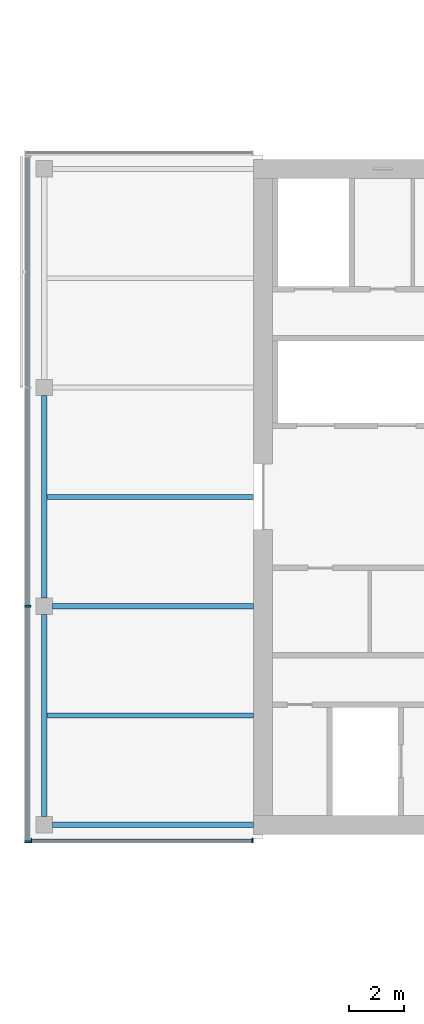
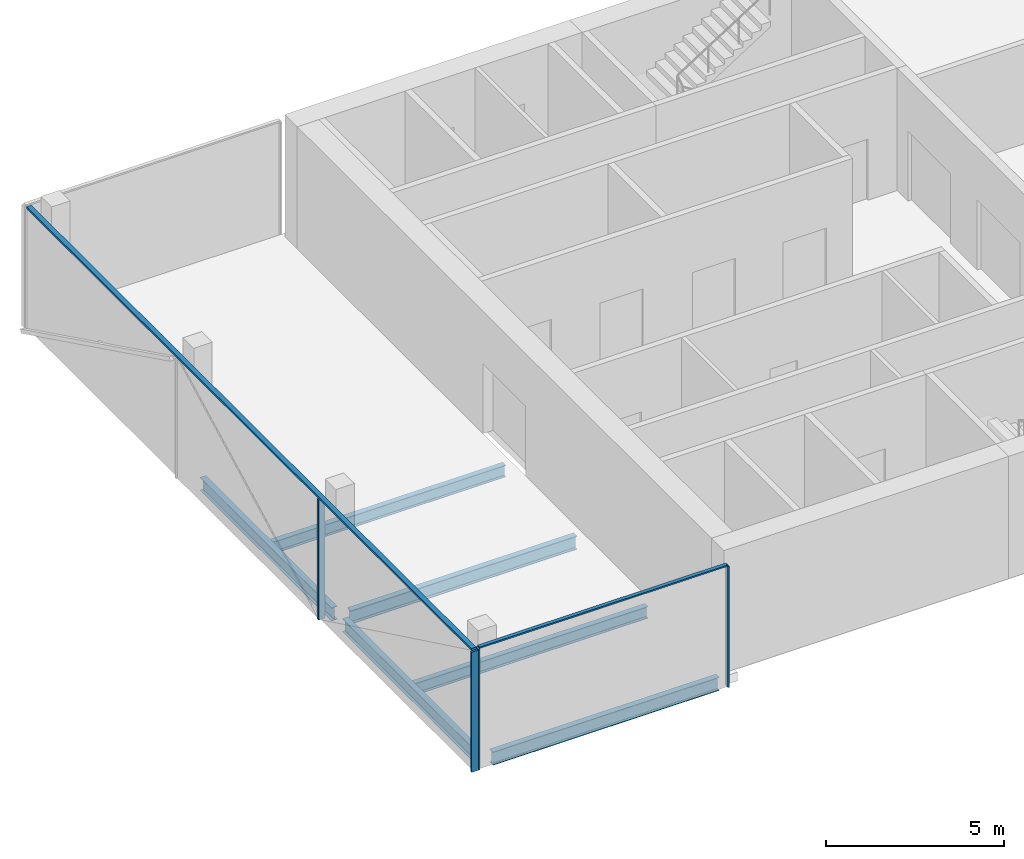
# One storey, part 3 of 22: 6 beams, 6 members, 2 elements without a shape of their own.
"""IFC4 building model written with IfcOpenShell, lengths in metres."""

from ifc_helpers import new_model, si_unit, direction, frame, origin, origin_2d, place, context, subcontext, project, spatial, rectangle, i_section, extrude, material, material_profile, profile_set, type_object, element, aggregate, save


model = new_model("IFC4")

# Units and contexts
model_context = context("Model", 3, precision=1e-05, world=origin(), true_north=direction((0.0, 1.0)))
body_context = subcontext(model_context, "Body", "Model", "MODEL_VIEW")
ifc_project = project(units=[si_unit("LENGTHUNIT", "METRE"), si_unit("AREAUNIT", "SQUARE_METRE"), si_unit("VOLUMEUNIT", "CUBIC_METRE"), si_unit("PLANEANGLEUNIT", "RADIAN"), si_unit("MASSUNIT", "GRAM", prefix="KILO")], contexts=[model_context])

# Site, building, storey
site_placement = place(None, origin())
site = spatial("IfcSite", under=ifc_project, at=site_placement, CompositionType="ELEMENT")
building_placement = place(site_placement, origin())
building = spatial("IfcBuilding", under=site, at=building_placement, Name="Crosswind Convention Tower", CompositionType="ELEMENT")
storey_placement = place(building_placement, frame((0.0, 0.0, 125.300048828125)))
storey = spatial("IfcBuildingStorey", under=building, at=storey_placement, Name="L25", CompositionType="ELEMENT", Elevation=125.300048828125)

# Beams
ifc_material_1 = material(Name="Steel S355", Category="steel")
ifc_material_profile_1 = material_profile(ifc_material_1, i_section(OverallWidth=0.18994140625, OverallDepth=0.45361328125, WebThickness=0.008544921875, FlangeThickness=0.0126953125, FilletRadius=0.01025390625, at=origin_2d()), Name="UB 457x191x67")
ifc_profile_set_1 = profile_set([ifc_material_profile_1], Name="Steel S355")
beam_type_1 = type_object("IfcBeamType", Name="Edge beam UB 457x191x67", PredefinedType="SPANDREL", material=ifc_profile_set_1)
for number, where, z_axis, x_axis, name in (
    (1, (89.0, 88.300048828125, -0.52685546875), (0.0, 1.0, 0.0), (-1.0, 0.0, 0.0), "B16 L25 edge beam 1"),
    (2, (89.0, 96.300048828125, -0.52685546875), (0.0, 1.0, 0.0), (-1.0, 0.0, 0.0), "B16 L25 edge beam 2"),
):
    element("IfcBeam", number, at=place(storey_placement, frame(where, z_axis=z_axis, x_axis=x_axis)), inside=storey, type_object=beam_type_1, Name=name, PredefinedType="SPANDREL", context=body_context, shape_type="SweptSolid", body=[
        extrude(i_section(OverallWidth=0.18994140625, OverallDepth=0.45361328125, WebThickness=0.008544921875, FlangeThickness=0.0126953125, FilletRadius=0.01025390625, at=origin_2d()), origin(), (0.0, 0.0, 1.0), 7.39990234375),
    ])
beam_1_placement = place(storey_placement, frame((89.300048828125, 88.0, -0.52685546875), z_axis=(1.0, 0.0, 0.0), x_axis=(0.0, 1.0, 0.0)))
element("IfcBeam", 3, at=beam_1_placement, inside=storey, type_object=beam_type_1, Name="B16 L25 edge beam 4", PredefinedType="SPANDREL", context=body_context, shape_type="SweptSolid", body=[
    extrude(i_section(OverallWidth=0.18994140625, OverallDepth=0.45361328125, WebThickness=0.008544921875, FlangeThickness=0.0126953125, FilletRadius=0.01025390625, at=origin_2d()), origin(), (0.0, 0.0, 1.0), 7.349853515625),
])
ifc_material_profile_2 = material_profile(ifc_material_1, i_section(OverallWidth=0.19189453125, OverallDepth=0.463623046875, WebThickness=0.010498046875, FlangeThickness=0.017578125, FilletRadius=0.01025390625, at=origin_2d()), Name="UB 457x191x90")
ifc_profile_set_2 = profile_set([ifc_material_profile_2], Name="Steel S355")
beam_type_2 = type_object("IfcBeamType", Name="Girder at core wall UB 457x191x90", PredefinedType="BEAM", material=ifc_profile_set_2)
beam_2_placement = place(storey_placement, frame((89.300048828125, 96.0, -0.53173828125), z_axis=(1.0, 0.0, 0.0), x_axis=(0.0, 1.0, 0.0)))
element("IfcBeam", 4, at=beam_2_placement, inside=storey, type_object=beam_type_2, Name="B24 L25 girder at core wall 1", PredefinedType="BEAM", context=body_context, shape_type="SweptSolid", body=[
    extrude(i_section(OverallWidth=0.19189453125, OverallDepth=0.463623046875, WebThickness=0.010498046875, FlangeThickness=0.017578125, FilletRadius=0.01025390625, at=origin_2d()), origin(), (0.0, 0.0, 1.0), 7.349853515625),
])

# Curtain wall, members
ifc_material_2 = material(Name="Aluminium unitised curtain wall", Category="aluminium")
curtain_wall_type_1 = type_object("IfcCurtainWallType", Name="CORE END SLOT WALL 160", PredefinedType="USERDEFINED", material=ifc_material_2)
curtain_wall_1_placement = place(storey_placement, origin())
curtain_wall_1 = element("IfcCurtainWall", 5, at=curtain_wall_1_placement, inside=storey, type_object=curtain_wall_type_1, Name="CW6 L25 W-S.1-1 slot", ObjectType="UNITISED", PredefinedType="USERDEFINED")
ifc_material_3 = material(Name="Aluminium mullion", Category="aluminium")
ifc_material_profile_3 = material_profile(ifc_material_3, rectangle(XDim=0.159912109375, YDim=0.050048828125, at=origin_2d()), Name="AL 160X50")
ifc_profile_set_3 = profile_set([ifc_material_profile_3], Name="Aluminium mullion")
member_type_1 = type_object("IfcMemberType", Name="MULLION 50X160", PredefinedType="MULLION", material=ifc_profile_set_3)
member_1_placement = place(storey_placement, frame((88.52490234375, 87.419921875, -0.300048828125), z_axis=(0.0, 0.0, 1.0), x_axis=(0.0, -1.0, 0.0)))
member_1 = element("IfcMember", 6, at=member_1_placement, type_object=member_type_1, Name="CW6 mullion 1", PredefinedType="MULLION", context=body_context, shape_type="SweptSolid", body=[
    extrude(rectangle(XDim=0.159912109375, YDim=0.050048828125, at=origin_2d()), origin(), (0.0, 0.0, 1.0), 4.14990234375),
])
member_2_placement = place(storey_placement, frame((96.625, 87.419921875, -0.300048828125), z_axis=(0.0, 0.0, 1.0), x_axis=(0.0, -1.0, 0.0)))
member_2 = element("IfcMember", 7, at=member_2_placement, type_object=member_type_1, Name="CW6 mullion 2", PredefinedType="MULLION", context=body_context, shape_type="SweptSolid", body=[
    extrude(rectangle(XDim=0.159912109375, YDim=0.050048828125, at=origin_2d()), origin(), (0.0, 0.0, 1.0), 4.14990234375),
])

curtain_wall_type_2 = type_object("IfcCurtainWallType", Name="OFFICE UNITISED WALL 220", PredefinedType="USERDEFINED", material=ifc_material_2)
curtain_wall_2_placement = place(storey_placement, origin())
curtain_wall_2 = element("IfcCurtainWall", 8, at=curtain_wall_2_placement, inside=storey, type_object=curtain_wall_type_2, Name="CW3 L25 W-TIP 1", ObjectType="UNITISED", PredefinedType="USERDEFINED")
ifc_material_profile_4 = material_profile(ifc_material_3, rectangle(XDim=0.219970703125, YDim=0.070068359375, at=origin_2d()), Name="AL 220X70")
ifc_profile_set_4 = profile_set([ifc_material_profile_4], Name="Aluminium mullion")
member_type_2 = type_object("IfcMemberType", Name="MULLION 70X220", PredefinedType="MULLION", material=ifc_profile_set_4)
member_3_placement = place(storey_placement, frame((88.389892578125, 96.0, -0.300048828125), z_axis=(0.0, 0.0, 1.0), x_axis=(-1.0, 0.0, 0.0)))
member_3 = element("IfcMember", 9, at=member_3_placement, type_object=member_type_2, Name="CW3 mullion 3", PredefinedType="MULLION", context=body_context, shape_type="SweptSolid", body=[
    extrude(rectangle(XDim=0.219970703125, YDim=0.070068359375, at=origin_2d()), origin(), (0.0, 0.0, 1.0), 4.1298828125),
])
member_4_placement = place(storey_placement, frame((88.389892578125, 87.375, -0.300048828125), z_axis=(0.0, 0.0, 1.0), x_axis=(-1.0, 0.0, 0.0)))
member_4 = element("IfcMember", 10, at=member_4_placement, type_object=member_type_2, Name="CW3 mullion 4", PredefinedType="MULLION", context=body_context, shape_type="SweptSolid", body=[
    extrude(rectangle(XDim=0.219970703125, YDim=0.070068359375, at=origin_2d()), origin(), (0.0, 0.0, 1.0), 4.1298828125),
])

# Beams
ifc_material_profile_5 = material_profile(ifc_material_1, i_section(OverallWidth=0.177734375, OverallDepth=0.406494140625, WebThickness=0.0078125, FlangeThickness=0.0126953125, FilletRadius=0.01025390625, at=origin_2d()), Name="UB 406x178x60")
ifc_profile_set_5 = profile_set([ifc_material_profile_5], Name="Steel S355")
beam_type_3 = type_object("IfcBeamType", Name="Secondary beam UB 406x178x60", PredefinedType="JOIST", material=ifc_profile_set_5)
for number, where, z_axis, x_axis, name in (
    (11, (89.094970703125, 92.0, -0.503173828125), (1.0, 0.0, 0.0), (0.0, 1.0, 0.0), "B10 L25 secondary beam 1"),
    (12, (89.094970703125, 100.0, -0.503173828125), (1.0, 0.0, 0.0), (0.0, 1.0, 0.0), "B10 L25 secondary beam 2"),
):
    element("IfcBeam", number, at=place(storey_placement, frame(where, z_axis=z_axis, x_axis=x_axis)), inside=storey, type_object=beam_type_3, Name=name, PredefinedType="JOIST", context=body_context, shape_type="SweptSolid", body=[
        extrude(i_section(OverallWidth=0.177734375, OverallDepth=0.406494140625, WebThickness=0.0078125, FlangeThickness=0.0126953125, FilletRadius=0.01025390625, at=origin_2d()), origin(), (0.0, 0.0, 1.0), 7.554931640625),
    ])

# Member
ifc_material_4 = material(Name="Aluminium transom", Category="aluminium")
ifc_material_profile_6 = material_profile(ifc_material_4, rectangle(XDim=0.1201171875, YDim=0.050048828125, at=origin_2d()), Name="AL 120X50")
ifc_profile_set_6 = profile_set([ifc_material_profile_6], Name="Aluminium transom")
member_type_3 = type_object("IfcMemberType", Name="TRANSOM 50X120", PredefinedType="USERDEFINED", material=ifc_profile_set_6)
member_5_placement = place(storey_placement, frame((88.550048828125, 87.419921875, 3.875), z_axis=(1.0, 0.0, 0.0), x_axis=(0.0, 1.0, 0.0)))
member_5 = element("IfcMember", 13, at=member_5_placement, type_object=member_type_3, Name="CW6 transom", ObjectType="TRANSOM", PredefinedType="USERDEFINED", context=body_context, shape_type="SweptSolid", body=[
    extrude(rectangle(XDim=0.1201171875, YDim=0.050048828125, at=origin_2d()), origin(), (0.0, 0.0, 1.0), 8.050048828125),
])

aggregate(curtain_wall_1, [member_1, member_2, member_5])

ifc_material_profile_7 = material_profile(ifc_material_4, rectangle(XDim=0.159912109375, YDim=0.070068359375, at=origin_2d()), Name="AL 160X70")
ifc_profile_set_7 = profile_set([ifc_material_profile_7], Name="Aluminium transom")
member_type_4 = type_object("IfcMemberType", Name="TRANSOM 70X160", PredefinedType="USERDEFINED", material=ifc_profile_set_7)
member_6_placement = place(storey_placement, frame((88.389892578125, 112.429931640625, 3.864990234375), z_axis=(0.0, -1.0, 0.0), x_axis=(1.0, 0.0, 0.0)))
member_6 = element("IfcMember", 14, at=member_6_placement, type_object=member_type_4, Name="CW3 transom", ObjectType="TRANSOM", PredefinedType="USERDEFINED", context=body_context, shape_type="SweptSolid", body=[
    extrude(rectangle(XDim=0.159912109375, YDim=0.070068359375, at=origin_2d()), origin(), (0.0, 0.0, 1.0), 25.02001953125),
])

aggregate(curtain_wall_2, [member_3, member_4, member_6])

save(model, "model.ifc")
